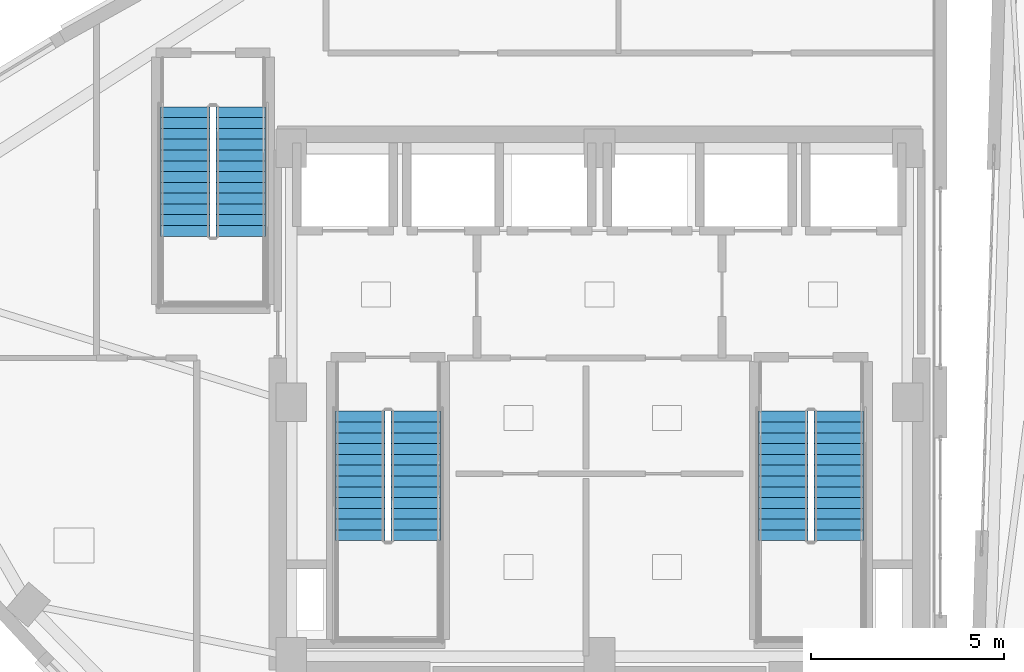
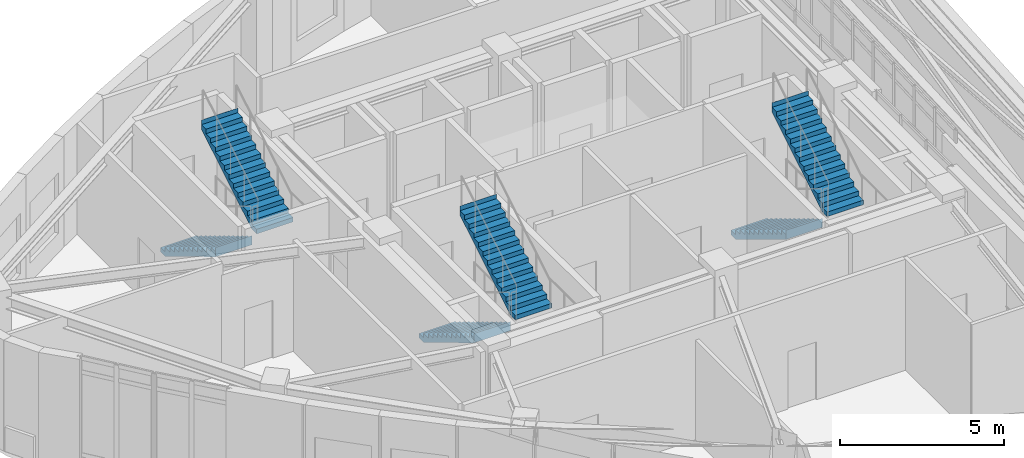
# One storey, part 16 of 19: 6 stair flights, 3 elements without a shape of their own.
"""IFC4 building model written with IfcOpenShell, lengths in metres."""

import ifcopenshell
import ifcopenshell.guid

model = None  # the IFC model being written
_history = None  # IfcOwnerHistory: only IFC2X3 demands one
_inside = {}  # id of a spatial element -> (the spatial element, [elements in it])
_under = {}  # id of a project, library or spatial element -> (it, [spatial elements below it])
_declared = {}  # id of a project -> (the project, [libraries it declares])
_typed = {}  # id of a type object -> (the type object, [elements of that type])
_made_of = {}  # id of a material, layer set ... -> (it, [elements and type objects made of it])


def new_model(schema):
    """Start an empty IFC model of exactly this schema.

    Asked for "IFC4X3", IfcOpenShell would pick the latest addendum, in which some entities
    have other attributes; the version numbers below select the first issue.
    IFC2X3 requires an IfcOwnerHistory on every rooted entity: one is made here for all.
    """
    global model, _history
    if schema == "IFC4X3":
        model = ifcopenshell.file(schema_version=(4, 3, 0, 0))
    else:
        model = ifcopenshell.file(schema=schema)
    _inside.clear()
    _under.clear()
    _declared.clear()
    _typed.clear()
    _made_of.clear()
    _history = None
    if model.schema == "IFC2X3":
        org = make("IfcOrganization", Name="unknown")
        user = make(
            "IfcPersonAndOrganization",
            ThePerson=make("IfcPerson", FamilyName="unknown"),
            TheOrganization=org,
        )
        app = make(
            "IfcApplication",
            ApplicationDeveloper=org,
            Version="unknown",
            ApplicationFullName="unknown",
            ApplicationIdentifier="unknown",
        )
        _history = make(
            "IfcOwnerHistory",
            OwningUser=user,
            OwningApplication=app,
            ChangeAction="ADDED",
            CreationDate=0,
        )
    return model


def make(cls, **values):
    """One entity of the class cls with the attributes given. An attribute that is None is left unset."""
    return model.create_entity(
        cls, **{name: value for name, value in values.items() if value is not None}
    )


def rooted(cls, **values):
    """An entity with a GlobalId (a new one), such as an element, a storey or a relation."""
    return make(cls, GlobalId=ifcopenshell.guid.new(), OwnerHistory=_history, **values)


def si_unit(unit_type, name, prefix=None):
    """IfcSIUnit, for example si_unit("LENGTHUNIT", "METRE", prefix="MILLI")."""
    return make("IfcSIUnit", UnitType=unit_type, Prefix=prefix, Name=name)


def assignment(units):
    """IfcUnitAssignment: the units of a project."""
    return None if units is None else make("IfcUnitAssignment", Units=units)


def point(xyz):
    """IfcCartesianPoint."""
    return None if xyz is None else make("IfcCartesianPoint", Coordinates=xyz)


def direction(xyz):
    """IfcDirection."""
    return None if xyz is None else make("IfcDirection", DirectionRatios=xyz)


def frame(location, z_axis=None, x_axis=None):
    """IfcAxis2Placement3D, a coordinate frame: its origin and axes. An axis left out is left unset."""
    return make(
        "IfcAxis2Placement3D",
        Location=point(location),
        Axis=direction(z_axis),
        RefDirection=direction(x_axis),
    )


def origin():
    """The frame at (0, 0, 0) with its axes left unset."""
    return frame((0.0, 0.0, 0.0))


def place(relative_to, where):
    """IfcLocalPlacement: puts the frame where relative to a parent placement (None: the world)."""
    return make(
        "IfcLocalPlacement", PlacementRelTo=relative_to, RelativePlacement=where
    )


def context(
    kind, dimensions, precision=None, world=None, true_north=None, identifier=None
):
    """IfcGeometricRepresentationContext, for example the 3D "Model" context."""
    return make(
        "IfcGeometricRepresentationContext",
        ContextIdentifier=identifier,
        ContextType=kind,
        CoordinateSpaceDimension=dimensions,
        Precision=precision,
        WorldCoordinateSystem=world,
        TrueNorth=true_north,
    )


def subcontext(parent, identifier, kind, view, scale=None):
    """IfcGeometricRepresentationSubContext, for example "Body" below "Model"."""
    return make(
        "IfcGeometricRepresentationSubContext",
        ContextIdentifier=identifier,
        ContextType=kind,
        ParentContext=parent,
        TargetScale=scale,
        TargetView=view,
    )


def project(units=None, contexts=None):
    """IfcProject with its units and contexts."""
    return rooted(
        "IfcProject",
        Name="project",
        RepresentationContexts=contexts,
        UnitsInContext=assignment(units),
    )


def spatial(cls, under=None, at=None, **own):
    """A site, building, storey or space (cls), placed at a placement, below another one or the project."""
    s = rooted(cls, ObjectPlacement=at, **own)
    if under is not None:
        _under.setdefault(under.id(), (under, []))[1].append(s)
    return s


def polyline(points):
    """IfcPolyline through the points."""
    return make("IfcPolyline", Points=[point(p) for p in points])


def outline(outer, holes=None, kind="AREA"):
    """IfcArbitraryClosedProfileDef: a profile drawn as a closed curve; with holes, ...WithVoids."""
    if holes is None:
        return make("IfcArbitraryClosedProfileDef", ProfileType=kind, OuterCurve=outer)
    return make(
        "IfcArbitraryProfileDefWithVoids",
        ProfileType=kind,
        OuterCurve=outer,
        InnerCurves=holes,
    )


def extrude(swept, where, along, depth):
    """IfcExtrudedAreaSolid: the profile swept, set in the frame where, extruded along a direction by depth."""
    return make(
        "IfcExtrudedAreaSolid",
        SweptArea=swept,
        Position=where,
        ExtrudedDirection=direction(along),
        Depth=depth,
    )


def shape(context_of_items, identifier, shape_type, items):
    """IfcShapeRepresentation: the items that make up one representation, for example the "Body"."""
    return make(
        "IfcShapeRepresentation",
        ContextOfItems=context_of_items,
        RepresentationIdentifier=identifier,
        RepresentationType=shape_type,
        Items=items,
    )


def material(Name=None, Category=None):
    """IfcMaterial."""
    return make("IfcMaterial", Name=Name, Category=Category)


def made_of(thing, what):
    """Note that an element or type object is made of a material, layer set ...; save() writes the relation."""
    if what is not None:
        _made_of.setdefault(what.id(), (what, []))[1].append(thing)
    return thing


def type_object(cls, material=None, **own):
    """A type object (cls), such as IfcWallType, which elements share."""
    return made_of(rooted(cls, **own), material)


def element(
    cls,
    number,
    at=None,
    inside=None,
    cuts=None,
    type_object=None,
    material=None,
    context=None,
    identifier="Body",
    shape_type=None,
    held_by="IfcProductDefinitionShape",
    body=None,
    shapes=None,
    **own,
):
    """One element of the class cls, such as IfcWall. Its Tag is "e" and its number.

    at: its placement. inside: the storey or other place that contains it. cuts: it is an
    opening in that element (IfcRelVoidsElement). A single representation is given by context,
    identifier, shape_type and body (its items); several are given by shapes. held_by: the class
    of the entity that holds the representations. save() writes the other relations.
    """
    e = rooted(cls, Tag="e%d" % number, ObjectPlacement=at, **own)
    if body is not None:
        shapes = [shape(context, identifier, shape_type, body)]
    if shapes is not None:
        e.Representation = make(held_by, Representations=shapes)
    if inside is not None:
        _inside.setdefault(inside.id(), (inside, []))[1].append(e)
    if cuts is not None:
        rooted(
            "IfcRelVoidsElement", RelatingBuildingElement=cuts, RelatedOpeningElement=e
        )
    if type_object is not None:
        _typed.setdefault(type_object.id(), (type_object, []))[1].append(e)
    return made_of(e, material)


def aggregate(whole, parts):
    """IfcRelAggregates: a whole, such as a stair, and the parts it consists of."""
    return rooted("IfcRelAggregates", RelatingObject=whole, RelatedObjects=parts)


def save(model, path):
    """Write the relations noted so far, then the file.

    IfcRelAggregates (storeys below a building ...), IfcRelContainedInSpatialStructure (elements
    in a storey), IfcRelDefinesByType, IfcRelAssociatesMaterial and IfcRelDeclares: one each for
    every whole, place, type object, material and project.
    """
    for whole, parts in _under.values():
        aggregate(whole, parts)
    for where, things in _inside.values():
        rooted(
            "IfcRelContainedInSpatialStructure",
            RelatedElements=things,
            RelatingStructure=where,
        )
    for kind, things in _typed.values():
        rooted("IfcRelDefinesByType", RelatedObjects=things, RelatingType=kind)
    for what, things in _made_of.values():
        rooted("IfcRelAssociatesMaterial", RelatedObjects=things, RelatingMaterial=what)
    for by, libraries in _declared.values():
        rooted("IfcRelDeclares", RelatingContext=by, RelatedDefinitions=libraries)
    model.write(path)


model = new_model("IFC4")

# Units and contexts
model_context = context("Model", 3, precision=1e-05, world=origin(), true_north=direction((0.0, 1.0)))
body_context = subcontext(model_context, "Body", "Model", "MODEL_VIEW")
ifc_project = project(units=[si_unit("LENGTHUNIT", "METRE"), si_unit("AREAUNIT", "SQUARE_METRE"), si_unit("VOLUMEUNIT", "CUBIC_METRE"), si_unit("PLANEANGLEUNIT", "RADIAN"), si_unit("MASSUNIT", "GRAM", prefix="KILO")], contexts=[model_context])

# Site, building, storey
site_placement = place(None, origin())
site = spatial("IfcSite", under=ifc_project, at=site_placement, CompositionType="ELEMENT")
building_placement = place(site_placement, origin())
building = spatial("IfcBuilding", under=site, at=building_placement, Name="Ndelora Gate Hotel", CompositionType="ELEMENT")
storey_placement = place(building_placement, frame((0.0, 0.0, 286.0)))
storey = spatial("IfcBuildingStorey", under=building, at=storey_placement, Name="L71", CompositionType="ELEMENT", Elevation=286.0)

# Stair, stair flights
ifc_material = material(Name="Precast concrete C40/50", Category="concrete")
stair_type = type_object("IfcStairType", Name="STR-DOG-CORE", PredefinedType="HALF_TURN_STAIR", material=ifc_material)
stair_1_placement = place(storey_placement, origin())
stair_1 = element("IfcStair", 1, at=stair_1_placement, inside=storey, type_object=stair_type, Name="L71 Protected Core Exit Stair ST4", PredefinedType="HALF_TURN_STAIR")
stair_flight_type = type_object("IfcStairFlightType", Name="STF-PRECAST", PredefinedType="STRAIGHT", material=ifc_material)
stair_flight_1_placement = place(storey_placement, frame((-6.2099609375, -0.22998046875, 0.0), z_axis=(0.0, 0.0, 1.0), x_axis=(0.0, -1.0, 0.0)))
stair_flight_1 = element("IfcStairFlight", 2, at=stair_flight_1_placement, type_object=stair_flight_type, Name="ST4 flight 1", NumberOfRisers=13, NumberOfTreads=12, PredefinedType="STRAIGHT", RiserHeight=0.169230769, TreadLength=0.28, context=body_context, shape_type="SweptSolid", body=[
    extrude(outline(polyline([(-0.00048828125, 0.0), (-0.00048828125, 0.169189453125), (0.0, 0.169189453125), (0.280029296875, 0.169189453125), (0.280029296875, 0.33837890625), (0.56005859375, 0.33837890625), (0.56005859375, 0.5078125), (0.840087890625, 0.5078125), (0.840087890625, 0.677001953125), (1.1201171875, 0.677001953125), (1.1201171875, 0.84619140625), (1.39990234375, 0.84619140625), (1.39990234375, 1.015380859375), (1.679931640625, 1.015380859375), (1.679931640625, 1.1845703125), (1.9599609375, 1.1845703125), (1.9599609375, 1.353759765625), (2.239990234375, 1.353759765625), (2.239990234375, 1.523193359375), (2.52001953125, 1.523193359375), (2.52001953125, 1.6923828125), (2.800048828125, 1.6923828125), (2.800048828125, 1.861572265625), (3.080078125, 1.861572265625), (3.080078125, 2.03076171875), (3.360107421875, 2.03076171875), (3.360107421875, 2.199951171875), (3.360595703125, 2.199951171875), (3.360595703125, 2.02001953125), (3.360107421875, 1.855712890625), (0.289794921875, 0.0), (-0.00048828125, 0.0)])), frame((0.0, 0.64013671875, 0.0), z_axis=(0.0, -1.0, 0.0), x_axis=(1.0, 0.0, 0.0)), (0.0, 0.0, 1.0), 1.280029296875),
])
stair_flight_2_placement = place(storey_placement, frame((-4.77001953125, -3.590087890625, 2.199951171875), z_axis=(0.0, 0.0, 1.0), x_axis=(0.0, 1.0, 0.0)))
stair_flight_2 = element("IfcStairFlight", 3, at=stair_flight_2_placement, type_object=stair_flight_type, Name="ST4 flight 2", NumberOfRisers=13, NumberOfTreads=12, PredefinedType="STRAIGHT", RiserHeight=0.169230769, TreadLength=0.28, context=body_context, shape_type="SweptSolid", body=[
    extrude(outline(polyline([(-0.00048828125, 0.0), (-0.00048828125, 0.169189453125), (0.0, 0.169189453125), (0.280029296875, 0.169189453125), (0.280029296875, 0.33837890625), (0.56005859375, 0.33837890625), (0.56005859375, 0.5078125), (0.840087890625, 0.5078125), (0.840087890625, 0.677001953125), (1.1201171875, 0.677001953125), (1.1201171875, 0.84619140625), (1.39990234375, 0.84619140625), (1.39990234375, 1.015380859375), (1.679931640625, 1.015380859375), (1.679931640625, 1.1845703125), (1.9599609375, 1.1845703125), (1.9599609375, 1.353759765625), (2.239990234375, 1.353759765625), (2.239990234375, 1.523193359375), (2.52001953125, 1.523193359375), (2.52001953125, 1.6923828125), (2.800048828125, 1.6923828125), (2.800048828125, 1.861572265625), (3.080078125, 1.861572265625), (3.080078125, 2.03076171875), (3.360107421875, 2.03076171875), (3.360107421875, 2.199951171875), (3.360595703125, 2.199951171875), (3.360595703125, 2.02001953125), (3.360107421875, 1.855712890625), (0.289794921875, 0.0), (-0.00048828125, 0.0)])), frame((0.0, 0.64013671875, 0.0), z_axis=(0.0, -1.0, 0.0), x_axis=(1.0, 0.0, 0.0)), (0.0, 0.0, 1.0), 1.280029296875),
])
aggregate(stair_1, [stair_flight_1, stair_flight_2])

stair_2_placement = place(storey_placement, origin())
stair_2 = element("IfcStair", 4, at=stair_2_placement, inside=storey, type_object=stair_type, Name="L71 Protected Core Exit Stair ST5", PredefinedType="HALF_TURN_STAIR")
stair_flight_3_placement = place(storey_placement, frame((4.77001953125, -0.22998046875, 0.0), z_axis=(0.0, 0.0, 1.0), x_axis=(0.0, -1.0, 0.0)))
stair_flight_3 = element("IfcStairFlight", 5, at=stair_flight_3_placement, type_object=stair_flight_type, Name="ST5 flight 1", NumberOfRisers=13, NumberOfTreads=12, PredefinedType="STRAIGHT", RiserHeight=0.169230769, TreadLength=0.28, context=body_context, shape_type="SweptSolid", body=[
    extrude(outline(polyline([(-0.00048828125, 0.0), (-0.00048828125, 0.169189453125), (0.0, 0.169189453125), (0.280029296875, 0.169189453125), (0.280029296875, 0.33837890625), (0.56005859375, 0.33837890625), (0.56005859375, 0.5078125), (0.840087890625, 0.5078125), (0.840087890625, 0.677001953125), (1.1201171875, 0.677001953125), (1.1201171875, 0.84619140625), (1.39990234375, 0.84619140625), (1.39990234375, 1.015380859375), (1.679931640625, 1.015380859375), (1.679931640625, 1.1845703125), (1.9599609375, 1.1845703125), (1.9599609375, 1.353759765625), (2.239990234375, 1.353759765625), (2.239990234375, 1.523193359375), (2.52001953125, 1.523193359375), (2.52001953125, 1.6923828125), (2.800048828125, 1.6923828125), (2.800048828125, 1.861572265625), (3.080078125, 1.861572265625), (3.080078125, 2.03076171875), (3.360107421875, 2.03076171875), (3.360107421875, 2.199951171875), (3.360595703125, 2.199951171875), (3.360595703125, 2.02001953125), (3.360107421875, 1.855712890625), (0.289794921875, 0.0), (-0.00048828125, 0.0)])), frame((0.0, 0.64013671875, 0.0), z_axis=(0.0, -1.0, 0.0), x_axis=(1.0, 0.0, 0.0)), (0.0, 0.0, 1.0), 1.280029296875),
])
stair_flight_4_placement = place(storey_placement, frame((6.2099609375, -3.590087890625, 2.199951171875), z_axis=(0.0, 0.0, 1.0), x_axis=(0.0, 1.0, 0.0)))
stair_flight_4 = element("IfcStairFlight", 6, at=stair_flight_4_placement, type_object=stair_flight_type, Name="ST5 flight 2", NumberOfRisers=13, NumberOfTreads=12, PredefinedType="STRAIGHT", RiserHeight=0.169230769, TreadLength=0.28, context=body_context, shape_type="SweptSolid", body=[
    extrude(outline(polyline([(-0.00048828125, 0.0), (-0.00048828125, 0.169189453125), (0.0, 0.169189453125), (0.280029296875, 0.169189453125), (0.280029296875, 0.33837890625), (0.56005859375, 0.33837890625), (0.56005859375, 0.5078125), (0.840087890625, 0.5078125), (0.840087890625, 0.677001953125), (1.1201171875, 0.677001953125), (1.1201171875, 0.84619140625), (1.39990234375, 0.84619140625), (1.39990234375, 1.015380859375), (1.679931640625, 1.015380859375), (1.679931640625, 1.1845703125), (1.9599609375, 1.1845703125), (1.9599609375, 1.353759765625), (2.239990234375, 1.353759765625), (2.239990234375, 1.523193359375), (2.52001953125, 1.523193359375), (2.52001953125, 1.6923828125), (2.800048828125, 1.6923828125), (2.800048828125, 1.861572265625), (3.080078125, 1.861572265625), (3.080078125, 2.03076171875), (3.360107421875, 2.03076171875), (3.360107421875, 2.199951171875), (3.360595703125, 2.199951171875), (3.360595703125, 2.02001953125), (3.360107421875, 1.855712890625), (0.289794921875, 0.0), (-0.00048828125, 0.0)])), frame((0.0, 0.64013671875, 0.0), z_axis=(0.0, -1.0, 0.0), x_axis=(1.0, 0.0, 0.0)), (0.0, 0.0, 1.0), 1.280029296875),
])
aggregate(stair_2, [stair_flight_3, stair_flight_4])

stair_3_placement = place(storey_placement, origin())
stair_3 = element("IfcStair", 7, at=stair_3_placement, inside=storey, type_object=stair_type, Name="L71 Crown Observation Exit Stair ST6", PredefinedType="HALF_TURN_STAIR")
stair_flight_5_placement = place(storey_placement, frame((-10.75, 7.669921875, 0.0), z_axis=(0.0, 0.0, 1.0), x_axis=(0.0, -1.0, 0.0)))
stair_flight_5 = element("IfcStairFlight", 8, at=stair_flight_5_placement, type_object=stair_flight_type, Name="ST6 flight 1", NumberOfRisers=13, NumberOfTreads=12, PredefinedType="STRAIGHT", RiserHeight=0.169230769, TreadLength=0.28, context=body_context, shape_type="SweptSolid", body=[
    extrude(outline(polyline([(-0.00048828125, 0.0), (-0.00048828125, 0.169189453125), (0.0, 0.169189453125), (0.280029296875, 0.169189453125), (0.280029296875, 0.33837890625), (0.56005859375, 0.33837890625), (0.56005859375, 0.5078125), (0.840087890625, 0.5078125), (0.840087890625, 0.677001953125), (1.1201171875, 0.677001953125), (1.1201171875, 0.84619140625), (1.39990234375, 0.84619140625), (1.39990234375, 1.015380859375), (1.679931640625, 1.015380859375), (1.679931640625, 1.1845703125), (1.9599609375, 1.1845703125), (1.9599609375, 1.353759765625), (2.239990234375, 1.353759765625), (2.239990234375, 1.523193359375), (2.52001953125, 1.523193359375), (2.52001953125, 1.6923828125), (2.800048828125, 1.6923828125), (2.800048828125, 1.861572265625), (3.080078125, 1.861572265625), (3.080078125, 2.03076171875), (3.360107421875, 2.03076171875), (3.360107421875, 2.199951171875), (3.360595703125, 2.199951171875), (3.360595703125, 2.02001953125), (3.360107421875, 1.855712890625), (0.289794921875, 0.0), (-0.00048828125, 0.0)])), frame((0.0, 0.64013671875, 0.0), z_axis=(0.0, -1.0, 0.0), x_axis=(1.0, 0.0, 0.0)), (0.0, 0.0, 1.0), 1.280029296875),
])
stair_flight_6_placement = place(storey_placement, frame((-9.31005859375, 4.31005859375, 2.199951171875), z_axis=(0.0, 0.0, 1.0), x_axis=(0.0, 1.0, 0.0)))
stair_flight_6 = element("IfcStairFlight", 9, at=stair_flight_6_placement, type_object=stair_flight_type, Name="ST6 flight 2", NumberOfRisers=13, NumberOfTreads=12, PredefinedType="STRAIGHT", RiserHeight=0.169230769, TreadLength=0.28, context=body_context, shape_type="SweptSolid", body=[
    extrude(outline(polyline([(-0.00048828125, 0.0), (-0.00048828125, 0.169189453125), (0.0, 0.169189453125), (0.280029296875, 0.169189453125), (0.280029296875, 0.33837890625), (0.56005859375, 0.33837890625), (0.56005859375, 0.5078125), (0.840087890625, 0.5078125), (0.840087890625, 0.677001953125), (1.1201171875, 0.677001953125), (1.1201171875, 0.84619140625), (1.39990234375, 0.84619140625), (1.39990234375, 1.015380859375), (1.679931640625, 1.015380859375), (1.679931640625, 1.1845703125), (1.9599609375, 1.1845703125), (1.9599609375, 1.353759765625), (2.239990234375, 1.353759765625), (2.239990234375, 1.523193359375), (2.52001953125, 1.523193359375), (2.52001953125, 1.6923828125), (2.800048828125, 1.6923828125), (2.800048828125, 1.861572265625), (3.080078125, 1.861572265625), (3.080078125, 2.03076171875), (3.360107421875, 2.03076171875), (3.360107421875, 2.199951171875), (3.360595703125, 2.199951171875), (3.360595703125, 2.02001953125), (3.360107421875, 1.855712890625), (0.289794921875, 0.0), (-0.00048828125, 0.0)])), frame((0.0, 0.64013671875, 0.0), z_axis=(0.0, -1.0, 0.0), x_axis=(1.0, 0.0, 0.0)), (0.0, 0.0, 1.0), 1.280029296875),
])
aggregate(stair_3, [stair_flight_5, stair_flight_6])

save(model, "model.ifc")
